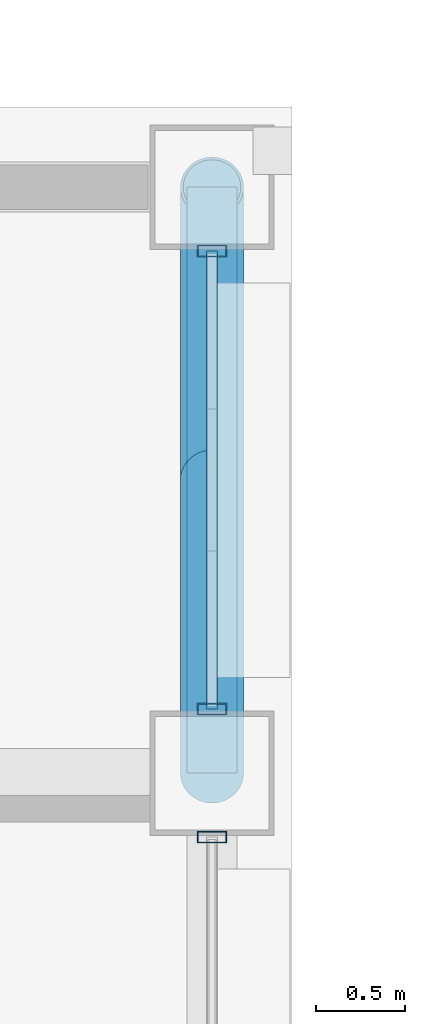
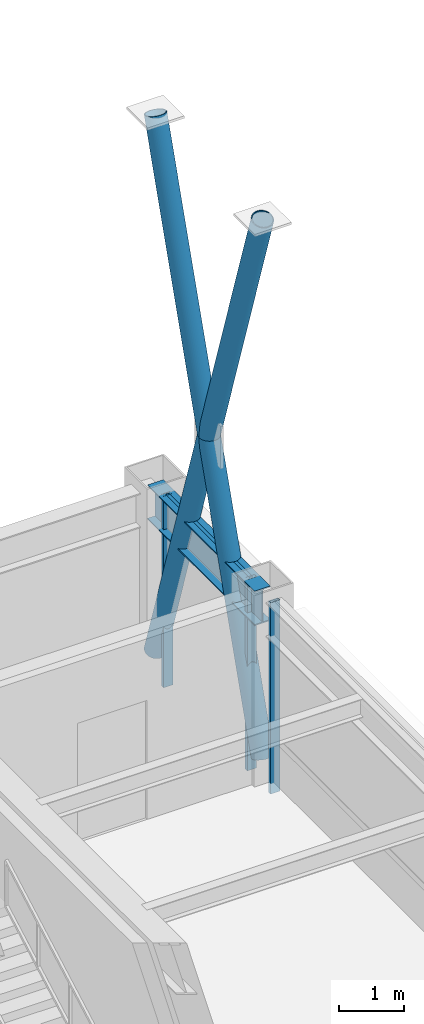
# One storey, part 20 of 33: 7 members, 1 beam, 2 elements without a shape of their own.
"""IFC4 building model written with IfcOpenShell, lengths in metres."""

import ifcopenshell
import ifcopenshell.guid

model = None  # the IFC model being written
_history = None  # IfcOwnerHistory: only IFC2X3 demands one
_inside = {}  # id of a spatial element -> (the spatial element, [elements in it])
_under = {}  # id of a project, library or spatial element -> (it, [spatial elements below it])
_declared = {}  # id of a project -> (the project, [libraries it declares])
_typed = {}  # id of a type object -> (the type object, [elements of that type])
_made_of = {}  # id of a material, layer set ... -> (it, [elements and type objects made of it])


def new_model(schema):
    """Start an empty IFC model of exactly this schema.

    Asked for "IFC4X3", IfcOpenShell would pick the latest addendum, in which some entities
    have other attributes; the version numbers below select the first issue.
    IFC2X3 requires an IfcOwnerHistory on every rooted entity: one is made here for all.
    """
    global model, _history
    if schema == "IFC4X3":
        model = ifcopenshell.file(schema_version=(4, 3, 0, 0))
    else:
        model = ifcopenshell.file(schema=schema)
    _inside.clear()
    _under.clear()
    _declared.clear()
    _typed.clear()
    _made_of.clear()
    _history = None
    if model.schema == "IFC2X3":
        org = make("IfcOrganization", Name="unknown")
        user = make(
            "IfcPersonAndOrganization",
            ThePerson=make("IfcPerson", FamilyName="unknown"),
            TheOrganization=org,
        )
        app = make(
            "IfcApplication",
            ApplicationDeveloper=org,
            Version="unknown",
            ApplicationFullName="unknown",
            ApplicationIdentifier="unknown",
        )
        _history = make(
            "IfcOwnerHistory",
            OwningUser=user,
            OwningApplication=app,
            ChangeAction="ADDED",
            CreationDate=0,
        )
    return model


def make(cls, **values):
    """One entity of the class cls with the attributes given. An attribute that is None is left unset."""
    return model.create_entity(
        cls, **{name: value for name, value in values.items() if value is not None}
    )


def rooted(cls, **values):
    """An entity with a GlobalId (a new one), such as an element, a storey or a relation."""
    return make(cls, GlobalId=ifcopenshell.guid.new(), OwnerHistory=_history, **values)


def si_unit(unit_type, name, prefix=None):
    """IfcSIUnit, for example si_unit("LENGTHUNIT", "METRE", prefix="MILLI")."""
    return make("IfcSIUnit", UnitType=unit_type, Prefix=prefix, Name=name)


def assignment(units):
    """IfcUnitAssignment: the units of a project."""
    return None if units is None else make("IfcUnitAssignment", Units=units)


def point(xyz):
    """IfcCartesianPoint."""
    return None if xyz is None else make("IfcCartesianPoint", Coordinates=xyz)


def direction(xyz):
    """IfcDirection."""
    return None if xyz is None else make("IfcDirection", DirectionRatios=xyz)


def frame(location, z_axis=None, x_axis=None):
    """IfcAxis2Placement3D, a coordinate frame: its origin and axes. An axis left out is left unset."""
    return make(
        "IfcAxis2Placement3D",
        Location=point(location),
        Axis=direction(z_axis),
        RefDirection=direction(x_axis),
    )


def frame_2d(location, x_axis=None):
    """IfcAxis2Placement2D, a coordinate frame in the plane: its origin and x axis."""
    return make(
        "IfcAxis2Placement2D", Location=point(location), RefDirection=direction(x_axis)
    )


def origin():
    """The frame at (0, 0, 0) with its axes left unset."""
    return frame((0.0, 0.0, 0.0))


def origin_2d():
    """The frame at (0, 0) in the plane with its x axis left unset."""
    return frame_2d((0.0, 0.0))


def place(relative_to, where):
    """IfcLocalPlacement: puts the frame where relative to a parent placement (None: the world)."""
    return make(
        "IfcLocalPlacement", PlacementRelTo=relative_to, RelativePlacement=where
    )


def context(
    kind, dimensions, precision=None, world=None, true_north=None, identifier=None
):
    """IfcGeometricRepresentationContext, for example the 3D "Model" context."""
    return make(
        "IfcGeometricRepresentationContext",
        ContextIdentifier=identifier,
        ContextType=kind,
        CoordinateSpaceDimension=dimensions,
        Precision=precision,
        WorldCoordinateSystem=world,
        TrueNorth=true_north,
    )


def subcontext(parent, identifier, kind, view, scale=None):
    """IfcGeometricRepresentationSubContext, for example "Body" below "Model"."""
    return make(
        "IfcGeometricRepresentationSubContext",
        ContextIdentifier=identifier,
        ContextType=kind,
        ParentContext=parent,
        TargetScale=scale,
        TargetView=view,
    )


def project(units=None, contexts=None):
    """IfcProject with its units and contexts."""
    return rooted(
        "IfcProject",
        Name="project",
        RepresentationContexts=contexts,
        UnitsInContext=assignment(units),
    )


def spatial(cls, under=None, at=None, **own):
    """A site, building, storey or space (cls), placed at a placement, below another one or the project."""
    s = rooted(cls, ObjectPlacement=at, **own)
    if under is not None:
        _under.setdefault(under.id(), (under, []))[1].append(s)
    return s


def profile(cls, at=None, kind="AREA", **sizes):
    """A parametric profile (cls). Its sizes go by their IFC names, for example OverallWidth=200.0."""
    return make(cls, ProfileType=kind, Position=at, **sizes)


def hollow_rectangle(**sizes):
    """IfcRectangleHollowProfileDef."""
    return profile("IfcRectangleHollowProfileDef", **sizes)


def hollow_circle(**sizes):
    """IfcCircleHollowProfileDef."""
    return profile("IfcCircleHollowProfileDef", **sizes)


def i_section(**sizes):
    """IfcIShapeProfileDef."""
    return profile("IfcIShapeProfileDef", **sizes)


def extrude(swept, where, along, depth):
    """IfcExtrudedAreaSolid: the profile swept, set in the frame where, extruded along a direction by depth."""
    return make(
        "IfcExtrudedAreaSolid",
        SweptArea=swept,
        Position=where,
        ExtrudedDirection=direction(along),
        Depth=depth,
    )


def shape(context_of_items, identifier, shape_type, items):
    """IfcShapeRepresentation: the items that make up one representation, for example the "Body"."""
    return make(
        "IfcShapeRepresentation",
        ContextOfItems=context_of_items,
        RepresentationIdentifier=identifier,
        RepresentationType=shape_type,
        Items=items,
    )


def material(Name=None, Category=None):
    """IfcMaterial."""
    return make("IfcMaterial", Name=Name, Category=Category)


def layer(
    of_material, thickness, ventilated=None, Name=None, Category=None, Priority=None
):
    """IfcMaterialLayer: one layer of a wall or slab, of a material (None: an air gap)."""
    return make(
        "IfcMaterialLayer",
        Material=of_material,
        LayerThickness=thickness,
        IsVentilated=ventilated,
        Name=Name,
        Category=Category,
        Priority=Priority,
    )


def layer_set(layers, Name=None):
    """IfcMaterialLayerSet."""
    return make("IfcMaterialLayerSet", MaterialLayers=layers, LayerSetName=Name)


def material_profile(
    of_material, cross_section, Name=None, Category=None, Priority=None
):
    """IfcMaterialProfile: a cross section and its material."""
    return make(
        "IfcMaterialProfile",
        Name=Name,
        Material=of_material,
        Profile=cross_section,
        Priority=Priority,
        Category=Category,
    )


def profile_set(profiles, Name=None, composite=None):
    """IfcMaterialProfileSet."""
    return make(
        "IfcMaterialProfileSet",
        Name=Name,
        MaterialProfiles=profiles,
        CompositeProfile=composite,
    )


def made_of(thing, what):
    """Note that an element or type object is made of a material, layer set ...; save() writes the relation."""
    if what is not None:
        _made_of.setdefault(what.id(), (what, []))[1].append(thing)
    return thing


def type_object(cls, material=None, **own):
    """A type object (cls), such as IfcWallType, which elements share."""
    return made_of(rooted(cls, **own), material)


def element(
    cls,
    number,
    at=None,
    inside=None,
    cuts=None,
    type_object=None,
    material=None,
    context=None,
    identifier="Body",
    shape_type=None,
    held_by="IfcProductDefinitionShape",
    body=None,
    shapes=None,
    **own,
):
    """One element of the class cls, such as IfcWall. Its Tag is "e" and its number.

    at: its placement. inside: the storey or other place that contains it. cuts: it is an
    opening in that element (IfcRelVoidsElement). A single representation is given by context,
    identifier, shape_type and body (its items); several are given by shapes. held_by: the class
    of the entity that holds the representations. save() writes the other relations.
    """
    e = rooted(cls, Tag="e%d" % number, ObjectPlacement=at, **own)
    if body is not None:
        shapes = [shape(context, identifier, shape_type, body)]
    if shapes is not None:
        e.Representation = make(held_by, Representations=shapes)
    if inside is not None:
        _inside.setdefault(inside.id(), (inside, []))[1].append(e)
    if cuts is not None:
        rooted(
            "IfcRelVoidsElement", RelatingBuildingElement=cuts, RelatedOpeningElement=e
        )
    if type_object is not None:
        _typed.setdefault(type_object.id(), (type_object, []))[1].append(e)
    return made_of(e, material)


def aggregate(whole, parts):
    """IfcRelAggregates: a whole, such as a stair, and the parts it consists of."""
    return rooted("IfcRelAggregates", RelatingObject=whole, RelatedObjects=parts)


def save(model, path):
    """Write the relations noted so far, then the file.

    IfcRelAggregates (storeys below a building ...), IfcRelContainedInSpatialStructure (elements
    in a storey), IfcRelDefinesByType, IfcRelAssociatesMaterial and IfcRelDeclares: one each for
    every whole, place, type object, material and project.
    """
    for whole, parts in _under.values():
        aggregate(whole, parts)
    for where, things in _inside.values():
        rooted(
            "IfcRelContainedInSpatialStructure",
            RelatedElements=things,
            RelatingStructure=where,
        )
    for kind, things in _typed.values():
        rooted("IfcRelDefinesByType", RelatedObjects=things, RelatingType=kind)
    for what, things in _made_of.values():
        rooted("IfcRelAssociatesMaterial", RelatedObjects=things, RelatingMaterial=what)
    for by, libraries in _declared.values():
        rooted("IfcRelDeclares", RelatingContext=by, RelatedDefinitions=libraries)
    model.write(path)


model = new_model("IFC4")

# Units and contexts
model_context = context("Model", 3, precision=1e-05, world=origin(), true_north=direction((0.0, 1.0)))
body_context = subcontext(model_context, "Body", "Model", "MODEL_VIEW")
ifc_project = project(units=[si_unit("LENGTHUNIT", "METRE"), si_unit("AREAUNIT", "SQUARE_METRE"), si_unit("VOLUMEUNIT", "CUBIC_METRE"), si_unit("PLANEANGLEUNIT", "RADIAN"), si_unit("MASSUNIT", "GRAM", prefix="KILO")], contexts=[model_context])

# Site, building, storey
site_placement = place(None, origin())
site = spatial("IfcSite", under=ifc_project, at=site_placement, CompositionType="ELEMENT")
building_placement = place(site_placement, origin())
building = spatial("IfcBuilding", under=site, at=building_placement, Name="Brelmoor Portico Tower", CompositionType="ELEMENT")
storey_placement = place(building_placement, frame((0.0, 0.0, 194.699951171875)))
storey = spatial("IfcBuildingStorey", under=building, at=storey_placement, Name="L51", CompositionType="ELEMENT", Elevation=194.699951171875)

# Beam
ifc_material_1 = material(Name="Steel Q355B", Category="steel")
ifc_material_profile_1 = material_profile(ifc_material_1, i_section(OverallWidth=0.280029296875, OverallDepth=0.64990234375, WebThickness=0.012939453125, FlangeThickness=0.02197265625, at=origin_2d()), Name="HN 650x280x13x22")
ifc_profile_set_1 = profile_set([ifc_material_profile_1], Name="Steel Q355B")
beam_type = type_object("IfcBeamType", Name="BM-SP-650", PredefinedType="SPANDREL", material=ifc_profile_set_1)
beam_placement = place(storey_placement, frame((20.550048828125, 9.75, 3.074951171875), z_axis=(0.0, 1.0, 0.0), x_axis=(-1.0, 0.0, 0.0)))
element("IfcBeam", 1, at=beam_placement, inside=storey, type_object=beam_type, Name="L51 Perimeter Spandrel Beam SP-20", PredefinedType="SPANDREL", context=body_context, shape_type="SweptSolid", body=[
    extrude(i_section(OverallWidth=0.280029296875, OverallDepth=0.64990234375, WebThickness=0.012939453125, FlangeThickness=0.02197265625, at=origin_2d()), origin(), (0.0, 0.0, 1.0), 3.300048828125),
])

# Members
ifc_material_profile_2 = material_profile(ifc_material_1, hollow_circle(Radius=0.177978515625, WallThickness=0.01611328125, at=origin_2d()), Name="CHS 356x16")
ifc_profile_set_2 = profile_set([ifc_material_profile_2], Name="Steel Q355B")
member_type_1 = type_object("IfcMemberType", Name="MB-BELT-DIAG2", PredefinedType="BRACE", material=ifc_profile_set_2)
member_1_placement = place(storey_placement, frame((20.550048828125, 9.75, 0.25), z_axis=(0.0, 0.310576778545, 0.950548296842), x_axis=(-1.0, 0.0, 0.0)))
element("IfcMember", 2, at=member_1_placement, inside=storey, type_object=member_type_1, Name="L51 Continuous Mega-X Brace 126A", PredefinedType="BRACE", context=body_context, shape_type="SweptSolid", body=[
    extrude(hollow_circle(Radius=0.177978515625, WallThickness=0.01611328125, at=origin_2d()), origin(), (0.0, 0.0, 1.0), 10.62548828125),
])
for number, where, z_axis, x_axis, name in (
    (3, (20.550048828125, 13.050048828125, 0.25), (0.0, -0.310597538786, 0.950541513507), (1.0, 0.0, 0.0), "L51 Split Mega-X Brace 126B1"),
    (4, (20.550048828125, 11.39990234375, 5.300048828125), (0.0, -0.310556017859, 0.95055507982), (1.0, 0.0, 0.0), "L51 Split Mega-X Brace 126B2"),
):
    element("IfcMember", number, at=place(storey_placement, frame(where, z_axis=z_axis, x_axis=x_axis)), inside=storey, type_object=member_type_1, Name=name, PredefinedType="BRACE", context=body_context, shape_type="SweptSolid", body=[
        extrude(hollow_circle(Radius=0.177978515625, WallThickness=0.01611328125, at=origin_2d()), origin(), (0.0, 0.0, 1.0), 5.312744140625),
    ])

# Curtain wall, member
ifc_material_2 = material(Name="Anodised Aluminium Alloy 6063-T6", Category="aluminium")
ifc_layer_1 = layer(ifc_material_2, 0.179931640625)
ifc_layer_set_1 = layer_set([ifc_layer_1], Name="Anodised Aluminium Alloy 6063-T6")
curtain_wall_type_1 = type_object("IfcCurtainWallType", Name="CW-TOWER-Z3", PredefinedType="NOTDEFINED", material=ifc_layer_set_1)
curtain_wall_1_placement = place(storey_placement, origin())
curtain_wall_1 = element("IfcCurtainWall", 5, at=curtain_wall_1_placement, inside=storey, type_object=curtain_wall_type_1, Name="L51 Curtain Wall CW-L51-4R-1", PredefinedType="NOTDEFINED")
ifc_material_profile_3 = material_profile(ifc_material_2, hollow_rectangle(XDim=0.06494140625, YDim=0.1650390625, WallThickness=0.00390625, at=origin_2d()), Name="ALU MULLION 65x165")
ifc_profile_set_3 = profile_set([ifc_material_profile_3], Name="Anodised Aluminium Alloy 6063-T6")
member_type_2 = type_object("IfcMemberType", Name="MB-CW-MULL-165", PredefinedType="MULLION", material=ifc_profile_set_3)
member_2_placement = place(storey_placement, frame((20.550048828125, 9.389892578125, -0.199951171875), z_axis=(0.0, 0.0, 1.0), x_axis=(0.0, 1.0, 0.0)))
member_2 = element("IfcMember", 6, at=member_2_placement, type_object=member_type_2, Name="CW-L51-4R-1 Mullion 01", PredefinedType="MULLION", context=body_context, shape_type="SweptSolid", body=[
    extrude(hollow_rectangle(XDim=0.06494140625, YDim=0.1650390625, WallThickness=0.00390625, at=origin_2d()), origin(), (0.0, 0.0, 1.0), 3.60009765625),
])
aggregate(curtain_wall_1, [member_2])

# Curtain wall, members
ifc_layer_2 = layer(ifc_material_2, 0.179931640625)
ifc_layer_set_2 = layer_set([ifc_layer_2], Name="Anodised Aluminium Alloy 6063-T6")
curtain_wall_type_2 = type_object("IfcCurtainWallType", Name="CW-TOWER-Z3-XB", PredefinedType="NOTDEFINED", material=ifc_layer_set_2)
curtain_wall_2_placement = place(storey_placement, origin())
curtain_wall_2 = element("IfcCurtainWall", 7, at=curtain_wall_2_placement, inside=storey, type_object=curtain_wall_type_2, Name="L51 Curtain Wall CW-L51-4R-2", PredefinedType="NOTDEFINED")
member_3_placement = place(storey_placement, frame((20.550048828125, 10.110107421875, -0.199951171875), z_axis=(0.0, 0.0, 1.0), x_axis=(0.0, 1.0, 0.0)))
member_3 = element("IfcMember", 8, at=member_3_placement, type_object=member_type_2, Name="CW-L51-4R-2 Mullion 00", PredefinedType="MULLION", context=body_context, shape_type="SweptSolid", body=[
    extrude(hollow_rectangle(XDim=0.06494140625, YDim=0.1650390625, WallThickness=0.00390625, at=origin_2d()), origin(), (0.0, 0.0, 1.0), 3.60009765625),
])
member_4_placement = place(storey_placement, frame((20.550048828125, 12.68994140625, -0.199951171875), z_axis=(0.0, 0.0, 1.0), x_axis=(0.0, 1.0, 0.0)))
member_4 = element("IfcMember", 9, at=member_4_placement, type_object=member_type_2, Name="CW-L51-4R-2 Mullion 01", PredefinedType="MULLION", context=body_context, shape_type="SweptSolid", body=[
    extrude(hollow_rectangle(XDim=0.06494140625, YDim=0.1650390625, WallThickness=0.00390625, at=origin_2d()), origin(), (0.0, 0.0, 1.0), 3.60009765625),
])
ifc_material_profile_4 = material_profile(ifc_material_2, hollow_rectangle(XDim=0.06005859375, YDim=0.125, WallThickness=0.00341796875, at=origin_2d()), Name="ALU TRANSOM 60x125")
ifc_profile_set_4 = profile_set([ifc_material_profile_4], Name="Anodised Aluminium Alloy 6063-T6")
member_type_3 = type_object("IfcMemberType", Name="MB-CW-TRAN-125", PredefinedType="USERDEFINED", material=ifc_profile_set_4)
member_5_placement = place(storey_placement, frame((20.550048828125, 10.110107421875, 3.337646484375), z_axis=(0.0, 1.0, 0.0), x_axis=(-1.0, 0.0, 0.0)))
member_5 = element("IfcMember", 10, at=member_5_placement, type_object=member_type_3, Name="CW-L51-4R-2 Transom 1-00", ObjectType="TRANSOM", PredefinedType="USERDEFINED", context=body_context, shape_type="SweptSolid", body=[
    extrude(hollow_rectangle(XDim=0.06005859375, YDim=0.125, WallThickness=0.00341796875, at=origin_2d()), origin(), (0.0, 0.0, 1.0), 2.579833984375),
])
aggregate(curtain_wall_2, [member_3, member_4, member_5])

save(model, "model.ifc")
